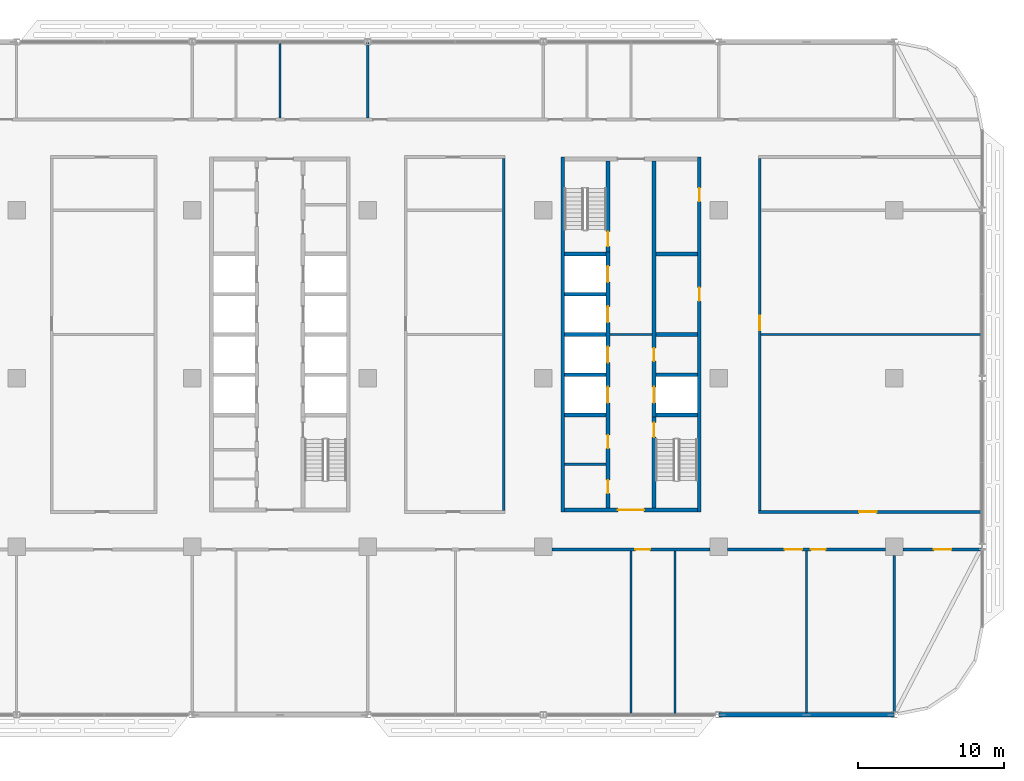
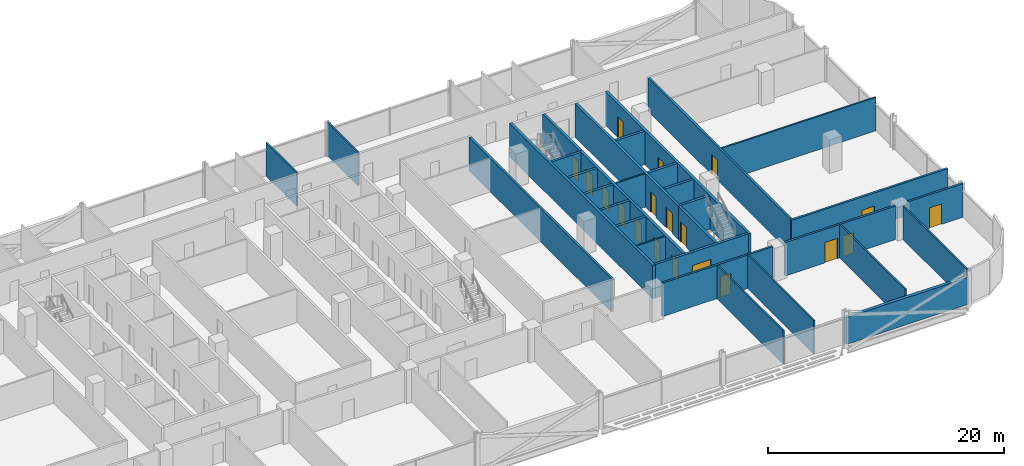
# One storey, part 15 of 27: 32 walls, 19 doors, 19 openings.
"""IFC4 building model written with IfcOpenShell, lengths in metres."""

from ifc_helpers import new_model, si_unit, direction, frame, frame_2d, origin, place, context, subcontext, project, spatial, rectangle, extrude, material, layer, layer_set, type_object, element, fill, save


model = new_model("IFC4")

# Units and contexts
model_context = context("Model", 3, precision=1e-05, world=origin(), true_north=direction((0.0, 1.0)))
body_context = subcontext(model_context, "Body", "Model", "MODEL_VIEW")
ifc_project = project(units=[si_unit("LENGTHUNIT", "METRE"), si_unit("AREAUNIT", "SQUARE_METRE"), si_unit("VOLUMEUNIT", "CUBIC_METRE"), si_unit("PLANEANGLEUNIT", "RADIAN"), si_unit("MASSUNIT", "GRAM", prefix="KILO")], contexts=[model_context])

# Site, building, storey
site_placement = place(None, origin())
site = spatial("IfcSite", under=ifc_project, at=site_placement, CompositionType="ELEMENT")
building_placement = place(site_placement, origin())
building = spatial("IfcBuilding", under=site, at=building_placement, Name="Mahtab Terrace Research Tower", CompositionType="ELEMENT")
storey_placement = place(building_placement, frame((0.0, 0.0, 163.0)))
storey = spatial("IfcBuildingStorey", under=building, at=storey_placement, Name="L38", CompositionType="ELEMENT", Elevation=163.0)

# Walls
ifc_material_1 = material(Name="Gypsum board partition")
ifc_layer_1 = layer(ifc_material_1, 0.14990234375)
ifc_layer_set_1 = layer_set([ifc_layer_1], Name="Core partition 150")
wall_type_1 = type_object("IfcWallType", Name="Core partition 150", PredefinedType="PARTITIONING", material=ifc_layer_set_1)
wall_1_placement = place(storey_placement, frame((22.550048828125, 3.0, 0.0), z_axis=(0.0, 0.0, 1.0), x_axis=(1.0, 0.0, 0.0)))
element("IfcWall", 1, at=wall_1_placement, inside=storey, type_object=wall_type_1, Name="Core wall C ffl", PredefinedType="PARTITIONING", context=body_context, shape_type="SweptSolid", body=[
    extrude(rectangle(XDim=2.89990234375, YDim=0.14990234375, at=frame_2d((1.449951171875, 0.0))), origin(), (0.0, 0.0, 1.0), 3.4599609375),
])
wall_2_placement = place(storey_placement, frame((19.449951171875, -5.875, 0.0), z_axis=(0.0, 0.0, 1.0), x_axis=(1.0, 0.0, 0.0)))
element("IfcWall", 2, at=wall_2_placement, inside=storey, type_object=wall_type_1, Name="Core wall C pWS-888", PredefinedType="PARTITIONING", context=body_context, shape_type="SweptSolid", body=[
    extrude(rectangle(XDim=2.85009765625, YDim=0.14990234375, at=frame_2d((1.425048828125, 0.0))), origin(), (0.0, 0.0, 1.0), 3.4599609375),
])
ifc_material_2 = material(Name="Concrete C70/85", Category="concrete")
ifc_layer_2 = layer(ifc_material_2, 0.25)
ifc_layer_set_2 = layer_set([ifc_layer_2], Name="Core wall 250")
wall_type_2 = type_object("IfcWallType", Name="Core wall 250", PredefinedType="SOLIDWALL", material=ifc_layer_set_2)
wall_3_placement = place(storey_placement, frame((19.324951171875, 15.125, 0.0), z_axis=(0.0, 0.0, 1.0), x_axis=(0.0, -1.0, 0.0)))
element("IfcWall", 3, at=wall_3_placement, inside=storey, type_object=wall_type_2, Name="Core wall C outerW", PredefinedType="SOLIDWALL", context=body_context, shape_type="SweptSolid", body=[
    extrude(rectangle(XDim=24.25, YDim=0.25, at=frame_2d((12.125, 0.0))), origin(), (0.0, 0.0, 1.0), 3.4599609375),
])

# Wall, openings, doors
wall_4_placement = place(storey_placement, frame((28.675048828125, -9.125, 0.0), z_axis=(0.0, 0.0, 1.0), x_axis=(0.0, 1.0, 0.0)))
wall_4 = element("IfcWall", 4, at=wall_4_placement, inside=storey, type_object=wall_type_2, Name="Core wall C outerE", PredefinedType="SOLIDWALL", context=body_context, shape_type="SweptSolid", body=[
    extrude(rectangle(XDim=24.25, YDim=0.25, at=frame_2d((12.125, 0.0))), origin(), (0.0, 0.0, 1.0), 3.4599609375),
])
opening_1_placement = place(wall_4_placement, frame((14.425048828125, 0.0, 0.0)))
opening_1 = element("IfcOpeningElement", 5, at=opening_1_placement, cuts=wall_4, Name="Opening C-R2", PredefinedType="OPENING", context=body_context, shape_type="SweptSolid", body=[
    extrude(rectangle(XDim=0.89990234375, YDim=2.10009765625, at=frame_2d((0.449951171875, 1.050048828125))), frame((0.0, 0.135009765625, 0.0), z_axis=(0.0, -1.0, 0.0), x_axis=(1.0, 0.0, 0.0)), (0.0, 0.0, 1.0), 0.27001953125),
])
opening_2_placement = place(wall_4_placement, frame((21.22509765625, 0.0, 0.0)))
opening_2 = element("IfcOpeningElement", 6, at=opening_2_placement, cuts=wall_4, Name="Opening C-R5", PredefinedType="OPENING", context=body_context, shape_type="SweptSolid", body=[
    extrude(rectangle(XDim=0.89990234375, YDim=2.10009765625, at=frame_2d((0.449951171875, 1.050048828125))), frame((0.0, 0.135009765625, 0.0), z_axis=(0.0, -1.0, 0.0), x_axis=(1.0, 0.0, 0.0)), (0.0, 0.0, 1.0), 0.27001953125),
])
ifc_material_3 = material(Name="Steel fire door", Category="steel")
door_type_1 = type_object("IfcDoorType", Name="Room door 900x2100 1 HR", OperationType="NOTDEFINED", PredefinedType="DOOR", material=ifc_material_3)
door_1_placement = place(opening_1_placement, origin())
door_1 = element("IfcDoor", 7, at=door_1_placement, inside=storey, type_object=door_type_1, Name="Plant room door", OperationType="SINGLE_SWING_RIGHT", OverallHeight=2.10009765625, OverallWidth=0.89990234375, PredefinedType="DOOR", context=body_context, shape_type="SweptSolid", body=[
    extrude(rectangle(XDim=0.89990234375, YDim=2.10009765625, at=frame_2d((0.449951171875, 1.050048828125))), frame((0.0, 0.02490234375, 0.0), z_axis=(0.0, -1.0, 0.0), x_axis=(1.0, 0.0, 0.0)), (0.0, 0.0, 1.0), 0.050048828125),
])
fill(opening_1, door_1)
door_2_placement = place(opening_2_placement, origin())
door_2 = element("IfcDoor", 8, at=door_2_placement, inside=storey, type_object=door_type_1, Name="Gas cylinder store door", OperationType="SINGLE_SWING_LEFT", OverallHeight=2.10009765625, OverallWidth=0.89990234375, PredefinedType="DOOR", context=body_context, shape_type="SweptSolid", body=[
    extrude(rectangle(XDim=0.89990234375, YDim=2.10009765625, at=frame_2d((0.449951171875, 1.050048828125))), frame((0.0, 0.02490234375, 0.0), z_axis=(0.0, -1.0, 0.0), x_axis=(1.0, 0.0, 0.0)), (0.0, 0.0, 1.0), 0.050048828125),
])
fill(opening_2, door_2)

# Wall, opening, door
wall_5_placement = place(storey_placement, frame((28.550048828125, -9.0, 0.0), z_axis=(0.0, 0.0, 1.0), x_axis=(-1.0, 0.0, 0.0)))
wall_5 = element("IfcWall", 9, at=wall_5_placement, inside=storey, type_object=wall_type_2, Name="Core wall C endS", PredefinedType="SOLIDWALL", context=body_context, shape_type="SweptSolid", body=[
    extrude(rectangle(XDim=9.10009765625, YDim=0.25, at=frame_2d((4.550048828125, 0.0))), origin(), (0.0, 0.0, 1.0), 3.4599609375),
])
opening_3_placement = place(wall_5_placement, frame((3.64990234375, 0.0, 0.0)))
opening_3 = element("IfcOpeningElement", 10, at=opening_3_placement, cuts=wall_5, Name="Opening C-S1", PredefinedType="OPENING", context=body_context, shape_type="SweptSolid", body=[
    extrude(rectangle(XDim=1.800048828125, YDim=2.10009765625, at=frame_2d((0.89990234375, 1.050048828125))), frame((0.0, 0.135009765625, 0.0), z_axis=(0.0, -1.0, 0.0), x_axis=(1.0, 0.0, 0.0)), (0.0, 0.0, 1.0), 0.27001953125),
])
door_type_2 = type_object("IfcDoorType", Name="Lobby double door 1800x2100 1 HR", OperationType="DOUBLE_DOOR_SINGLE_SWING", PredefinedType="DOOR", material=ifc_material_3)
door_3_placement = place(opening_3_placement, origin())
door_3 = element("IfcDoor", 11, at=door_3_placement, inside=storey, type_object=door_type_2, Name="Core entrance door C S", OperationType="DOUBLE_DOOR_SINGLE_SWING", OverallHeight=2.10009765625, OverallWidth=1.800048828125, PredefinedType="DOOR", context=body_context, shape_type="SweptSolid", body=[
    extrude(rectangle(XDim=1.800048828125, YDim=2.10009765625, at=frame_2d((0.89990234375, 1.050048828125))), frame((0.0, 0.02490234375, 0.0), z_axis=(0.0, -1.0, 0.0), x_axis=(1.0, 0.0, 0.0)), (0.0, 0.0, 1.0), 0.050048828125),
])
fill(opening_3, door_3)

# Wall, openings, doors
wall_6_placement = place(storey_placement, frame((22.425048828125, -8.875, 0.0), z_axis=(0.0, 0.0, 1.0), x_axis=(0.0, 1.0, 0.0)))
wall_6 = element("IfcWall", 12, at=wall_6_placement, inside=storey, type_object=wall_type_2, Name="Core wall C innerWSL", PredefinedType="SOLIDWALL", context=body_context, shape_type="SweptSolid", body=[
    extrude(rectangle(XDim=17.5, YDim=0.25, at=frame_2d((8.75, 0.0))), origin(), (0.0, 0.0, 1.0), 3.4599609375),
])
opening_4_placement = place(wall_6_placement, frame((7.199951171875, 0.0, 0.0)))
opening_4 = element("IfcOpeningElement", 13, at=opening_4_placement, cuts=wall_6, Name="Opening LD17-L38", PredefinedType="OPENING", context=body_context, shape_type="SweptSolid", body=[
    extrude(rectangle(XDim=1.10009765625, YDim=2.10009765625, at=frame_2d((0.550048828125, 1.050048828125))), frame((0.0, 0.135009765625, 0.0), z_axis=(0.0, -1.0, 0.0), x_axis=(1.0, 0.0, 0.0)), (0.0, 0.0, 1.0), 0.27001953125),
])
opening_5_placement = place(wall_6_placement, frame((9.949951171875, 0.0, 0.0)))
opening_5 = element("IfcOpeningElement", 14, at=opening_5_placement, cuts=wall_6, Name="Opening LD18-L38", PredefinedType="OPENING", context=body_context, shape_type="SweptSolid", body=[
    extrude(rectangle(XDim=1.10009765625, YDim=2.10009765625, at=frame_2d((0.550048828125, 1.050048828125))), frame((0.0, 0.135009765625, 0.0), z_axis=(0.0, -1.0, 0.0), x_axis=(1.0, 0.0, 0.0)), (0.0, 0.0, 1.0), 0.27001953125),
])
opening_6_placement = place(wall_6_placement, frame((12.699951171875, 0.0, 0.0)))
opening_6 = element("IfcOpeningElement", 15, at=opening_6_placement, cuts=wall_6, Name="Opening LD19-L38", PredefinedType="OPENING", context=body_context, shape_type="SweptSolid", body=[
    extrude(rectangle(XDim=1.10009765625, YDim=2.10009765625, at=frame_2d((0.550048828125, 1.050048828125))), frame((0.0, 0.135009765625, 0.0), z_axis=(0.0, -1.0, 0.0), x_axis=(1.0, 0.0, 0.0)), (0.0, 0.0, 1.0), 0.27001953125),
])
opening_7_placement = place(wall_6_placement, frame((15.449951171875, 0.0, 0.0)))
opening_7 = element("IfcOpeningElement", 16, at=opening_7_placement, cuts=wall_6, Name="Opening LD20-L38", PredefinedType="OPENING", context=body_context, shape_type="SweptSolid", body=[
    extrude(rectangle(XDim=1.10009765625, YDim=2.10009765625, at=frame_2d((0.550048828125, 1.050048828125))), frame((0.0, 0.135009765625, 0.0), z_axis=(0.0, -1.0, 0.0), x_axis=(1.0, 0.0, 0.0)), (0.0, 0.0, 1.0), 0.27001953125),
])
opening_8_placement = place(wall_6_placement, frame((1.012451171875, 0.0, 0.0)))
opening_8 = element("IfcOpeningElement", 17, at=opening_8_placement, cuts=wall_6, Name="Opening C-R3", PredefinedType="OPENING", context=body_context, shape_type="SweptSolid", body=[
    extrude(rectangle(XDim=0.89990234375, YDim=2.10009765625, at=frame_2d((0.449951171875, 1.050048828125))), frame((0.0, 0.135009765625, 0.0), z_axis=(0.0, -1.0, 0.0), x_axis=(1.0, 0.0, 0.0)), (0.0, 0.0, 1.0), 0.27001953125),
])
opening_9_placement = place(wall_6_placement, frame((4.08740234375, 0.0, 0.0)))
opening_9 = element("IfcOpeningElement", 18, at=opening_9_placement, cuts=wall_6, Name="Opening C-R4", PredefinedType="OPENING", context=body_context, shape_type="SweptSolid", body=[
    extrude(rectangle(XDim=0.89990234375, YDim=2.10009765625, at=frame_2d((0.449951171875, 1.050048828125))), frame((0.0, 0.135009765625, 0.0), z_axis=(0.0, -1.0, 0.0), x_axis=(1.0, 0.0, 0.0)), (0.0, 0.0, 1.0), 0.27001953125),
])
ifc_material_4 = material(Name="Stainless steel AISI 304", Category="steel")
door_type_3 = type_object("IfcDoorType", Name="Landing door 1100x2100", OperationType="DOUBLE_DOOR_SLIDING", PredefinedType="DOOR", material=ifc_material_4)
door_4_placement = place(opening_4_placement, origin())
door_4 = element("IfcDoor", 19, at=door_4_placement, inside=storey, type_object=door_type_3, Name="Landing door SV1 L38", OperationType="DOUBLE_DOOR_SLIDING", OverallHeight=2.10009765625, OverallWidth=1.10009765625, PredefinedType="DOOR", context=body_context, shape_type="SweptSolid", body=[
    extrude(rectangle(XDim=1.10009765625, YDim=2.10009765625, at=frame_2d((0.550048828125, 1.050048828125))), frame((0.0, 0.02490234375, 0.0), z_axis=(0.0, -1.0, 0.0), x_axis=(1.0, 0.0, 0.0)), (0.0, 0.0, 1.0), 0.050048828125),
])
fill(opening_4, door_4)
door_5_placement = place(opening_5_placement, origin())
door_5 = element("IfcDoor", 20, at=door_5_placement, inside=storey, type_object=door_type_3, Name="Landing door SV2 L38", OperationType="DOUBLE_DOOR_SLIDING", OverallHeight=2.10009765625, OverallWidth=1.10009765625, PredefinedType="DOOR", context=body_context, shape_type="SweptSolid", body=[
    extrude(rectangle(XDim=1.10009765625, YDim=2.10009765625, at=frame_2d((0.550048828125, 1.050048828125))), frame((0.0, 0.02490234375, 0.0), z_axis=(0.0, -1.0, 0.0), x_axis=(1.0, 0.0, 0.0)), (0.0, 0.0, 1.0), 0.050048828125),
])
fill(opening_5, door_5)
door_6_placement = place(opening_6_placement, origin())
door_6 = element("IfcDoor", 21, at=door_6_placement, inside=storey, type_object=door_type_3, Name="Landing door FF1 L38", OperationType="DOUBLE_DOOR_SLIDING", OverallHeight=2.10009765625, OverallWidth=1.10009765625, PredefinedType="DOOR", context=body_context, shape_type="SweptSolid", body=[
    extrude(rectangle(XDim=1.10009765625, YDim=2.10009765625, at=frame_2d((0.550048828125, 1.050048828125))), frame((0.0, 0.02490234375, 0.0), z_axis=(0.0, -1.0, 0.0), x_axis=(1.0, 0.0, 0.0)), (0.0, 0.0, 1.0), 0.050048828125),
])
fill(opening_6, door_6)
door_7_placement = place(opening_7_placement, origin())
door_7 = element("IfcDoor", 22, at=door_7_placement, inside=storey, type_object=door_type_3, Name="Landing door FF2 L38", OperationType="DOUBLE_DOOR_SLIDING", OverallHeight=2.10009765625, OverallWidth=1.10009765625, PredefinedType="DOOR", context=body_context, shape_type="SweptSolid", body=[
    extrude(rectangle(XDim=1.10009765625, YDim=2.10009765625, at=frame_2d((0.550048828125, 1.050048828125))), frame((0.0, 0.02490234375, 0.0), z_axis=(0.0, -1.0, 0.0), x_axis=(1.0, 0.0, 0.0)), (0.0, 0.0, 1.0), 0.050048828125),
])
fill(opening_7, door_7)
door_8_placement = place(opening_8_placement, origin())
door_8 = element("IfcDoor", 23, at=door_8_placement, inside=storey, type_object=door_type_1, Name="Staff WC door", OperationType="SINGLE_SWING_LEFT", OverallHeight=2.10009765625, OverallWidth=0.89990234375, PredefinedType="DOOR", context=body_context, shape_type="SweptSolid", body=[
    extrude(rectangle(XDim=0.89990234375, YDim=2.10009765625, at=frame_2d((0.449951171875, 1.050048828125))), frame((0.0, 0.02490234375, 0.0), z_axis=(0.0, -1.0, 0.0), x_axis=(1.0, 0.0, 0.0)), (0.0, 0.0, 1.0), 0.050048828125),
])
fill(opening_8, door_8)
door_9_placement = place(opening_9_placement, origin())
door_9 = element("IfcDoor", 24, at=door_9_placement, inside=storey, type_object=door_type_1, Name="Accessible WC door", OperationType="SINGLE_SWING_RIGHT", OverallHeight=2.10009765625, OverallWidth=0.89990234375, PredefinedType="DOOR", context=body_context, shape_type="SweptSolid", body=[
    extrude(rectangle(XDim=0.89990234375, YDim=2.10009765625, at=frame_2d((0.449951171875, 1.050048828125))), frame((0.0, 0.02490234375, 0.0), z_axis=(0.0, -1.0, 0.0), x_axis=(1.0, 0.0, 0.0)), (0.0, 0.0, 1.0), 0.050048828125),
])
fill(opening_9, door_9)

# Wall, opening, door
wall_7_placement = place(storey_placement, frame((22.425048828125, 14.875, 0.0), z_axis=(0.0, 0.0, 1.0), x_axis=(0.0, -1.0, 0.0)))
wall_7 = element("IfcWall", 25, at=wall_7_placement, inside=storey, type_object=wall_type_2, Name="Core wall C innerWN", PredefinedType="SOLIDWALL", context=body_context, shape_type="SweptSolid", body=[
    extrude(rectangle(XDim=6.25, YDim=0.25, at=frame_2d((3.125, 0.0))), origin(), (0.0, 0.0, 1.0), 3.4599609375),
])
opening_10_placement = place(wall_7_placement, frame((4.85009765625, 0.0, 0.0)))
opening_10 = element("IfcOpeningElement", 26, at=opening_10_placement, cuts=wall_7, Name="Opening C-ST3", PredefinedType="OPENING", context=body_context, shape_type="SweptSolid", body=[
    extrude(rectangle(XDim=1.0, YDim=2.10009765625, at=frame_2d((0.5, 1.050048828125))), frame((0.0, 0.135009765625, 0.0), z_axis=(0.0, -1.0, 0.0), x_axis=(1.0, 0.0, 0.0)), (0.0, 0.0, 1.0), 0.27001953125),
])
door_type_4 = type_object("IfcDoorType", Name="Stair door 1000x2100 1.5 HR", OperationType="NOTDEFINED", PredefinedType="DOOR", material=ifc_material_3)
door_10_placement = place(opening_10_placement, origin())
door_10 = element("IfcDoor", 27, at=door_10_placement, inside=storey, type_object=door_type_4, Name="Stair door ST3 L38", OperationType="SINGLE_SWING_RIGHT", OverallHeight=2.10009765625, OverallWidth=1.0, PredefinedType="DOOR", context=body_context, shape_type="SweptSolid", body=[
    extrude(rectangle(XDim=1.0, YDim=2.10009765625, at=frame_2d((0.5, 1.050048828125))), frame((0.0, 0.02490234375, 0.0), z_axis=(0.0, -1.0, 0.0), x_axis=(1.0, 0.0, 0.0)), (0.0, 0.0, 1.0), 0.050048828125),
])
fill(opening_10, door_10)

wall_8_placement = place(storey_placement, frame((25.574951171875, -8.875, 0.0), z_axis=(0.0, 0.0, 1.0), x_axis=(0.0, 1.0, 0.0)))
wall_8 = element("IfcWall", 28, at=wall_8_placement, inside=storey, type_object=wall_type_2, Name="Core wall C innerES", PredefinedType="SOLIDWALL", context=body_context, shape_type="SweptSolid", body=[
    extrude(rectangle(XDim=6.25, YDim=0.25, at=frame_2d((3.125, 0.0))), origin(), (0.0, 0.0, 1.0), 3.4599609375),
])
opening_11_placement = place(wall_8_placement, frame((4.85009765625, 0.0, 0.0)))
opening_11 = element("IfcOpeningElement", 29, at=opening_11_placement, cuts=wall_8, Name="Opening C-ST4", PredefinedType="OPENING", context=body_context, shape_type="SweptSolid", body=[
    extrude(rectangle(XDim=1.0, YDim=2.10009765625, at=frame_2d((0.5, 1.050048828125))), frame((0.0, 0.135009765625, 0.0), z_axis=(0.0, -1.0, 0.0), x_axis=(1.0, 0.0, 0.0)), (0.0, 0.0, 1.0), 0.27001953125),
])
door_11_placement = place(opening_11_placement, origin())
door_11 = element("IfcDoor", 30, at=door_11_placement, inside=storey, type_object=door_type_4, Name="Stair door ST4 L38", OperationType="SINGLE_SWING_LEFT", OverallHeight=2.10009765625, OverallWidth=1.0, PredefinedType="DOOR", context=body_context, shape_type="SweptSolid", body=[
    extrude(rectangle(XDim=1.0, YDim=2.10009765625, at=frame_2d((0.5, 1.050048828125))), frame((0.0, 0.02490234375, 0.0), z_axis=(0.0, -1.0, 0.0), x_axis=(1.0, 0.0, 0.0)), (0.0, 0.0, 1.0), 0.050048828125),
])
fill(opening_11, door_11)

# Wall, openings, doors
wall_9_placement = place(storey_placement, frame((25.574951171875, 14.875, 0.0), z_axis=(0.0, 0.0, 1.0), x_axis=(0.0, -1.0, 0.0)))
wall_9 = element("IfcWall", 31, at=wall_9_placement, inside=storey, type_object=wall_type_2, Name="Core wall C innerELN", PredefinedType="SOLIDWALL", context=body_context, shape_type="SweptSolid", body=[
    extrude(rectangle(XDim=17.5, YDim=0.25, at=frame_2d((8.75, 0.0))), origin(), (0.0, 0.0, 1.0), 3.4599609375),
])
opening_12_placement = place(wall_9_placement, frame((15.449951171875, 0.0, 0.0)))
opening_12 = element("IfcOpeningElement", 32, at=opening_12_placement, cuts=wall_9, Name="Opening LD21-L38", PredefinedType="OPENING", context=body_context, shape_type="SweptSolid", body=[
    extrude(rectangle(XDim=1.10009765625, YDim=2.10009765625, at=frame_2d((0.550048828125, 1.050048828125))), frame((0.0, 0.135009765625, 0.0), z_axis=(0.0, -1.0, 0.0), x_axis=(1.0, 0.0, 0.0)), (0.0, 0.0, 1.0), 0.27001953125),
])
opening_13_placement = place(wall_9_placement, frame((12.800048828125, 0.0, 0.0)))
opening_13 = element("IfcOpeningElement", 33, at=opening_13_placement, cuts=wall_9, Name="Opening C-R1", PredefinedType="OPENING", context=body_context, shape_type="SweptSolid", body=[
    extrude(rectangle(XDim=0.89990234375, YDim=2.10009765625, at=frame_2d((0.449951171875, 1.050048828125))), frame((0.0, 0.135009765625, 0.0), z_axis=(0.0, -1.0, 0.0), x_axis=(1.0, 0.0, 0.0)), (0.0, 0.0, 1.0), 0.27001953125),
])
door_12_placement = place(opening_12_placement, origin())
door_12 = element("IfcDoor", 34, at=door_12_placement, inside=storey, type_object=door_type_3, Name="Landing door SV3 L38", OperationType="DOUBLE_DOOR_SLIDING", OverallHeight=2.10009765625, OverallWidth=1.10009765625, PredefinedType="DOOR", context=body_context, shape_type="SweptSolid", body=[
    extrude(rectangle(XDim=1.10009765625, YDim=2.10009765625, at=frame_2d((0.550048828125, 1.050048828125))), frame((0.0, 0.02490234375, 0.0), z_axis=(0.0, -1.0, 0.0), x_axis=(1.0, 0.0, 0.0)), (0.0, 0.0, 1.0), 0.050048828125),
])
fill(opening_12, door_12)
door_13_placement = place(opening_13_placement, origin())
door_13 = element("IfcDoor", 35, at=door_13_placement, inside=storey, type_object=door_type_1, Name="Plant room door", OperationType="SINGLE_SWING_LEFT", OverallHeight=2.10009765625, OverallWidth=0.89990234375, PredefinedType="DOOR", context=body_context, shape_type="SweptSolid", body=[
    extrude(rectangle(XDim=0.89990234375, YDim=2.10009765625, at=frame_2d((0.449951171875, 1.050048828125))), frame((0.0, 0.02490234375, 0.0), z_axis=(0.0, -1.0, 0.0), x_axis=(1.0, 0.0, 0.0)), (0.0, 0.0, 1.0), 0.050048828125),
])
fill(opening_13, door_13)

# Walls
for number, where, z_axis, x_axis, name in (
    (36, (19.449951171875, -2.5, 0.0), (0.0, 0.0, 1.0), (1.0, 0.0, 0.0), "Core wall C divW0"),
    (37, (19.449951171875, 0.25, 0.0), (0.0, 0.0, 1.0), (1.0, 0.0, 0.0), "Core wall C divW1"),
    (38, (19.449951171875, 3.0, 0.0), (0.0, 0.0, 1.0), (1.0, 0.0, 0.0), "Core wall C divW2"),
    (39, (19.449951171875, 5.75, 0.0), (0.0, 0.0, 1.0), (1.0, 0.0, 0.0), "Core wall C divW3"),
    (40, (19.449951171875, 8.5, 0.0), (0.0, 0.0, 1.0), (1.0, 0.0, 0.0), "Core wall C divW4"),
    (41, (25.699951171875, -2.5, 0.0), (0.0, 0.0, 1.0), (1.0, 0.0, 0.0), "Core wall C divE0"),
    (42, (25.699951171875, 0.25, 0.0), (0.0, 0.0, 1.0), (1.0, 0.0, 0.0), "Core wall C divE1"),
    (43, (25.699951171875, 3.0, 0.0), (0.0, 0.0, 1.0), (1.0, 0.0, 0.0), "Core wall C divE2"),
    (44, (25.699951171875, 8.5, 0.0), (0.0, 0.0, 1.0), (1.0, 0.0, 0.0), "Core wall C divE4"),
):
    element("IfcWall", number, at=place(storey_placement, frame(where, z_axis=z_axis, x_axis=x_axis)), inside=storey, type_object=wall_type_2, Name=name, PredefinedType="SOLIDWALL", context=body_context, shape_type="SweptSolid", body=[
        extrude(rectangle(XDim=2.85009765625, YDim=0.25, at=frame_2d((1.425048828125, 0.0))), origin(), (0.0, 0.0, 1.0), 3.4599609375),
    ])
ifc_material_5 = material(Name="Black aluminium cladding panel", Category="aluminium")
ifc_layer_3 = layer(ifc_material_5, 0.300048828125)
ifc_layer_set_3 = layer_set([ifc_layer_3], Name="Opaque facade wall 300")
wall_type_3 = type_object("IfcWallType", Name="Opaque facade wall 300", PredefinedType="NOTDEFINED", material=ifc_layer_set_3)
wall_10_placement = place(storey_placement, frame((30.014892578125, -23.0, 0.0), z_axis=(0.0, 0.0, 1.0), x_axis=(1.0, 0.0, 0.0)))
element("IfcWall", 45, at=wall_10_placement, inside=storey, type_object=wall_type_3, Name="Opaque facade wall L38 S29", PredefinedType="NOTDEFINED", context=body_context, shape_type="SweptSolid", body=[
    extrude(rectangle(XDim=11.97021484375, YDim=0.300048828125, at=frame_2d((5.985107421875, 0.0))), origin(), (0.0, 0.0, 1.0), 2.78173828125),
])

# Wall, opening, door
ifc_material_6 = material(Name="Gypsum board corridor wall on steel studs", Category="steel")
ifc_layer_4 = layer(ifc_material_6, 0.199951171875)
ifc_layer_set_4 = layer_set([ifc_layer_4], Name="WALL CORRIDOR 200")
wall_type_4 = type_object("IfcWallType", Name="WALL CORRIDOR 200", PredefinedType="PARTITIONING", material=ifc_layer_set_4)
wall_11_placement = place(storey_placement, frame((18.60009765625, -11.699951171875, 0.0), z_axis=(0.0, 0.0, 1.0), x_axis=(1.0, 0.0, 0.0)))
wall_11 = element("IfcWall", 46, at=wall_11_placement, inside=storey, type_object=wall_type_4, Name="L38-W007", PredefinedType="PARTITIONING", context=body_context, shape_type="SweptSolid", body=[
    extrude(rectangle(XDim=10.7998046875, YDim=0.199951171875, at=frame_2d((5.39990234375, 0.0))), origin(), (0.0, 0.0, 1.0), 3.4599609375),
])
opening_14_placement = place(wall_11_placement, frame((5.699951171875, 0.0, 0.0)))
opening_14 = element("IfcOpeningElement", 47, at=opening_14_placement, cuts=wall_11, Name="Opening L38-110", PredefinedType="OPENING", context=body_context, shape_type="SweptSolid", body=[
    extrude(rectangle(XDim=1.0, YDim=2.10009765625, at=frame_2d((0.5, 1.050048828125))), frame((0.0, 0.10986328125, 0.0), z_axis=(0.0, -1.0, 0.0), x_axis=(1.0, 0.0, 0.0)), (0.0, 0.0, 1.0), 0.219970703125),
])
ifc_material_7 = material(Name="Timber door leaf in steel frame", Category="steel")
door_type_5 = type_object("IfcDoorType", Name="DOOR 1000X2100 FD30S", OperationType="SINGLE_SWING_LEFT", PredefinedType="DOOR", material=ifc_material_7)
door_14_placement = place(opening_14_placement, origin())
door_14 = element("IfcDoor", 48, at=door_14_placement, inside=storey, type_object=door_type_5, Name="Door L38-110", OperationType="SINGLE_SWING_LEFT", OverallHeight=2.10009765625, OverallWidth=1.0, PredefinedType="DOOR", context=body_context, shape_type="SweptSolid", body=[
    extrude(rectangle(XDim=1.0, YDim=2.10009765625, at=frame_2d((0.5, 1.050048828125))), frame((0.0, 0.02490234375, 0.0), z_axis=(0.0, -1.0, 0.0), x_axis=(1.0, 0.0, 0.0)), (0.0, 0.0, 1.0), 0.050048828125),
])
fill(opening_14, door_14)

# Wall, openings, doors
wall_12_placement = place(storey_placement, frame((30.60009765625, -11.699951171875, 0.0), z_axis=(0.0, 0.0, 1.0), x_axis=(1.0, 0.0, 0.0)))
wall_12 = element("IfcWall", 49, at=wall_12_placement, inside=storey, type_object=wall_type_4, Name="L38-W008", PredefinedType="PARTITIONING", context=body_context, shape_type="SweptSolid", body=[
    extrude(rectangle(XDim=10.7998046875, YDim=0.199951171875, at=frame_2d((5.39990234375, 0.0))), origin(), (0.0, 0.0, 1.0), 3.4599609375),
])
opening_15_placement = place(wall_12_placement, frame((3.89990234375, 0.0, 0.0)))
opening_15 = element("IfcOpeningElement", 50, at=opening_15_placement, cuts=wall_12, Name="Opening L38-111", PredefinedType="OPENING", context=body_context, shape_type="SweptSolid", body=[
    extrude(rectangle(XDim=1.199951171875, YDim=2.10009765625, at=frame_2d((0.60009765625, 1.050048828125))), frame((0.0, 0.10986328125, 0.0), z_axis=(0.0, -1.0, 0.0), x_axis=(1.0, 0.0, 0.0)), (0.0, 0.0, 1.0), 0.219970703125),
])
opening_16_placement = place(wall_12_placement, frame((5.699951171875, 0.0, 0.0)))
opening_16 = element("IfcOpeningElement", 51, at=opening_16_placement, cuts=wall_12, Name="Opening L38-112", PredefinedType="OPENING", context=body_context, shape_type="SweptSolid", body=[
    extrude(rectangle(XDim=1.0, YDim=2.10009765625, at=frame_2d((0.5, 1.050048828125))), frame((0.0, 0.10986328125, 0.0), z_axis=(0.0, -1.0, 0.0), x_axis=(1.0, 0.0, 0.0)), (0.0, 0.0, 1.0), 0.219970703125),
])
door_15_placement = place(opening_16_placement, origin())
door_15 = element("IfcDoor", 52, at=door_15_placement, inside=storey, type_object=door_type_5, Name="Door L38-112", OperationType="SINGLE_SWING_LEFT", OverallHeight=2.10009765625, OverallWidth=1.0, PredefinedType="DOOR", context=body_context, shape_type="SweptSolid", body=[
    extrude(rectangle(XDim=1.0, YDim=2.10009765625, at=frame_2d((0.5, 1.050048828125))), frame((0.0, 0.02490234375, 0.0), z_axis=(0.0, -1.0, 0.0), x_axis=(1.0, 0.0, 0.0)), (0.0, 0.0, 1.0), 0.050048828125),
])
fill(opening_16, door_15)
door_type_6 = type_object("IfcDoorType", Name="DOOR 1200X2100 FD30S", OperationType="SINGLE_SWING_LEFT", PredefinedType="DOOR", material=ifc_material_7)
door_16_placement = place(opening_15_placement, origin())
door_16 = element("IfcDoor", 53, at=door_16_placement, inside=storey, type_object=door_type_6, Name="Door L38-111", OperationType="SINGLE_SWING_RIGHT", OverallHeight=2.10009765625, OverallWidth=1.199951171875, PredefinedType="DOOR", context=body_context, shape_type="SweptSolid", body=[
    extrude(rectangle(XDim=1.199951171875, YDim=2.10009765625, at=frame_2d((0.60009765625, 1.050048828125))), frame((0.0, 0.02490234375, 0.0), z_axis=(0.0, -1.0, 0.0), x_axis=(1.0, 0.0, 0.0)), (0.0, 0.0, 1.0), 0.050048828125),
])
fill(opening_15, door_16)

# Wall, opening, door
wall_13_placement = place(storey_placement, frame((42.60009765625, -11.699951171875, 0.0), z_axis=(0.0, 0.0, 1.0), x_axis=(1.0, 0.0, 0.0)))
wall_13 = element("IfcWall", 54, at=wall_13_placement, inside=storey, type_object=wall_type_4, Name="L38-W009", PredefinedType="PARTITIONING", context=body_context, shape_type="SweptSolid", body=[
    extrude(rectangle(XDim=5.375, YDim=0.199951171875, at=frame_2d((2.6875, 0.0))), origin(), (0.0, 0.0, 1.0), 3.4599609375),
])
opening_17_placement = place(wall_13_placement, frame((2.10009765625, 0.0, 0.0)))
opening_17 = element("IfcOpeningElement", 55, at=opening_17_placement, cuts=wall_13, Name="Opening L38-113", PredefinedType="OPENING", context=body_context, shape_type="SweptSolid", body=[
    extrude(rectangle(XDim=1.199951171875, YDim=2.10009765625, at=frame_2d((0.60009765625, 1.050048828125))), frame((0.0, 0.10986328125, 0.0), z_axis=(0.0, -1.0, 0.0), x_axis=(1.0, 0.0, 0.0)), (0.0, 0.0, 1.0), 0.219970703125),
])
door_17_placement = place(opening_17_placement, origin())
door_17 = element("IfcDoor", 56, at=door_17_placement, inside=storey, type_object=door_type_6, Name="Door L38-113", OperationType="SINGLE_SWING_LEFT", OverallHeight=2.10009765625, OverallWidth=1.199951171875, PredefinedType="DOOR", context=body_context, shape_type="SweptSolid", body=[
    extrude(rectangle(XDim=1.199951171875, YDim=2.10009765625, at=frame_2d((0.60009765625, 1.050048828125))), frame((0.0, 0.02490234375, 0.0), z_axis=(0.0, -1.0, 0.0), x_axis=(1.0, 0.0, 0.0)), (0.0, 0.0, 1.0), 0.050048828125),
])
fill(opening_17, door_17)

wall_14_placement = place(storey_placement, frame((32.699951171875, -9.125, 0.0), z_axis=(0.0, 0.0, 1.0), x_axis=(1.0, 0.0, 0.0)))
wall_14 = element("IfcWall", 57, at=wall_14_placement, inside=storey, type_object=wall_type_4, Name="L38-W013", PredefinedType="PARTITIONING", context=body_context, shape_type="SweptSolid", body=[
    extrude(rectangle(XDim=15.275146484375, YDim=0.199951171875, at=frame_2d((7.6376953125, 0.0))), origin(), (0.0, 0.0, 1.0), 3.4599609375),
])
opening_18_placement = place(wall_14_placement, frame((6.89990234375, 0.0, 0.0)))
opening_18 = element("IfcOpeningElement", 58, at=opening_18_placement, cuts=wall_14, Name="Opening L38-117", PredefinedType="OPENING", context=body_context, shape_type="SweptSolid", body=[
    extrude(rectangle(XDim=1.199951171875, YDim=2.10009765625, at=frame_2d((0.60009765625, 1.050048828125))), frame((0.0, 0.10986328125, 0.0), z_axis=(0.0, -1.0, 0.0), x_axis=(1.0, 0.0, 0.0)), (0.0, 0.0, 1.0), 0.219970703125),
])
door_18_placement = place(opening_18_placement, origin())
door_18 = element("IfcDoor", 59, at=door_18_placement, inside=storey, type_object=door_type_6, Name="Door L38-117", OperationType="SINGLE_SWING_LEFT", OverallHeight=2.10009765625, OverallWidth=1.199951171875, PredefinedType="DOOR", context=body_context, shape_type="SweptSolid", body=[
    extrude(rectangle(XDim=1.199951171875, YDim=2.10009765625, at=frame_2d((0.60009765625, 1.050048828125))), frame((0.0, 0.02490234375, 0.0), z_axis=(0.0, -1.0, 0.0), x_axis=(1.0, 0.0, 0.0)), (0.0, 0.0, 1.0), 0.050048828125),
])
fill(opening_18, door_18)

# Wall
wall_15_placement = place(storey_placement, frame((15.300048828125, -9.02490234375, 0.0), z_axis=(0.0, 0.0, 1.0), x_axis=(0.0, 1.0, 0.0)))
element("IfcWall", 60, at=wall_15_placement, inside=storey, type_object=wall_type_4, Name="L38-W050", PredefinedType="PARTITIONING", context=body_context, shape_type="SweptSolid", body=[
    extrude(rectangle(XDim=24.0498046875, YDim=0.199951171875, at=frame_2d((12.02490234375, 0.0))), origin(), (0.0, 0.0, 1.0), 3.4599609375),
])

# Wall, opening, door
wall_16_placement = place(storey_placement, frame((32.800048828125, -9.02490234375, 0.0), z_axis=(0.0, 0.0, 1.0), x_axis=(0.0, 1.0, 0.0)))
wall_16 = element("IfcWall", 61, at=wall_16_placement, inside=storey, type_object=wall_type_4, Name="L38-W057", PredefinedType="PARTITIONING", context=body_context, shape_type="SweptSolid", body=[
    extrude(rectangle(XDim=24.0498046875, YDim=0.199951171875, at=frame_2d((12.02490234375, 0.0))), origin(), (0.0, 0.0, 1.0), 3.4599609375),
])
opening_19_placement = place(wall_16_placement, frame((12.300048828125, 0.0, 0.0)))
opening_19 = element("IfcOpeningElement", 62, at=opening_19_placement, cuts=wall_16, Name="Opening L38-121", PredefinedType="OPENING", context=body_context, shape_type="SweptSolid", body=[
    extrude(rectangle(XDim=1.0, YDim=2.10009765625, at=frame_2d((0.5, 1.050048828125))), frame((0.0, 0.10986328125, 0.0), z_axis=(0.0, -1.0, 0.0), x_axis=(1.0, 0.0, 0.0)), (0.0, 0.0, 1.0), 0.219970703125),
])
door_19_placement = place(opening_19_placement, origin())
door_19 = element("IfcDoor", 63, at=door_19_placement, inside=storey, type_object=door_type_5, Name="Door L38-121", OperationType="SINGLE_SWING_LEFT", OverallHeight=2.10009765625, OverallWidth=1.0, PredefinedType="DOOR", context=body_context, shape_type="SweptSolid", body=[
    extrude(rectangle(XDim=1.0, YDim=2.10009765625, at=frame_2d((0.5, 1.050048828125))), frame((0.0, 0.02490234375, 0.0), z_axis=(0.0, -1.0, 0.0), x_axis=(1.0, 0.0, 0.0)), (0.0, 0.0, 1.0), 0.050048828125),
])
fill(opening_19, door_19)

# Walls
ifc_material_8 = material(Name="Gypsum board partition on steel studs", Category="steel")
ifc_layer_5 = layer(ifc_material_8, 0.14990234375)
ifc_layer_set_5 = layer_set([ifc_layer_5], Name="WALL PARTITION 150")
wall_type_5 = type_object("IfcWallType", Name="WALL PARTITION 150", PredefinedType="PARTITIONING", material=ifc_layer_set_5)
wall_17_placement = place(storey_placement, frame((32.89990234375, 3.0, 0.0), z_axis=(0.0, 0.0, 1.0), x_axis=(1.0, 0.0, 0.0)))
element("IfcWall", 64, at=wall_17_placement, inside=storey, type_object=wall_type_5, Name="L38-W017", PredefinedType="PARTITIONING", context=body_context, shape_type="SweptSolid", body=[
    extrude(rectangle(XDim=15.0751953125, YDim=0.14990234375, at=frame_2d((7.53759765625, 0.0))), origin(), (0.0, 0.0, 1.0), 3.4599609375),
])
for number, where, z_axis, x_axis, name in (
    (65, (0.0, 17.800048828125, 0.0), (0.0, 0.0, 1.0), (0.0, 1.0, 0.0), "L38-W045"),
    (66, (6.0, 17.800048828125, 0.0), (0.0, 0.0, 1.0), (0.0, 1.0, 0.0), "L38-W047"),
):
    element("IfcWall", number, at=place(storey_placement, frame(where, z_axis=z_axis, x_axis=x_axis)), inside=storey, type_object=wall_type_5, Name=name, PredefinedType="PARTITIONING", context=body_context, shape_type="SweptSolid", body=[
        extrude(rectangle(XDim=5.175048828125, YDim=0.14990234375, at=frame_2d((2.58740234375, 0.0))), origin(), (0.0, 0.0, 1.0), 3.4599609375),
    ])
for number, where, z_axis, x_axis, name in (
    (67, (24.0, -22.97509765625, 0.0), (0.0, 0.0, 1.0), (0.0, 1.0, 0.0), "L38-W053"),
    (68, (27.0, -22.97509765625, 0.0), (0.0, 0.0, 1.0), (0.0, 1.0, 0.0), "L38-W055"),
):
    element("IfcWall", number, at=place(storey_placement, frame(where, z_axis=z_axis, x_axis=x_axis)), inside=storey, type_object=wall_type_5, Name=name, PredefinedType="PARTITIONING", context=body_context, shape_type="SweptSolid", body=[
        extrude(rectangle(XDim=11.175048828125, YDim=0.14990234375, at=frame_2d((5.58740234375, 0.0))), origin(), (0.0, 0.0, 1.0), 3.4599609375),
    ])
wall_18_placement = place(storey_placement, frame((36.0, -22.85009765625, 0.0), z_axis=(0.0, 0.0, 1.0), x_axis=(0.0, 1.0, 0.0)))
element("IfcWall", 69, at=wall_18_placement, inside=storey, type_object=wall_type_5, Name="L38-W058", PredefinedType="PARTITIONING", context=body_context, shape_type="SweptSolid", body=[
    extrude(rectangle(XDim=11.050048828125, YDim=0.14990234375, at=frame_2d((5.52490234375, 0.0))), origin(), (0.0, 0.0, 1.0), 3.4599609375),
])
wall_19_placement = place(storey_placement, frame((42.0, -22.84716796875, 0.0), z_axis=(0.0, 0.0, 1.0), x_axis=(0.0, 1.0, 0.0)))
element("IfcWall", 70, at=wall_19_placement, inside=storey, type_object=wall_type_5, Name="L38-W059", PredefinedType="PARTITIONING", context=body_context, shape_type="SweptSolid", body=[
    extrude(rectangle(XDim=10.7470703125, YDim=0.14990234375, at=frame_2d((5.37353515625, 0.0))), origin(), (0.0, 0.0, 1.0), 3.4599609375),
])

save(model, "model.ifc")
